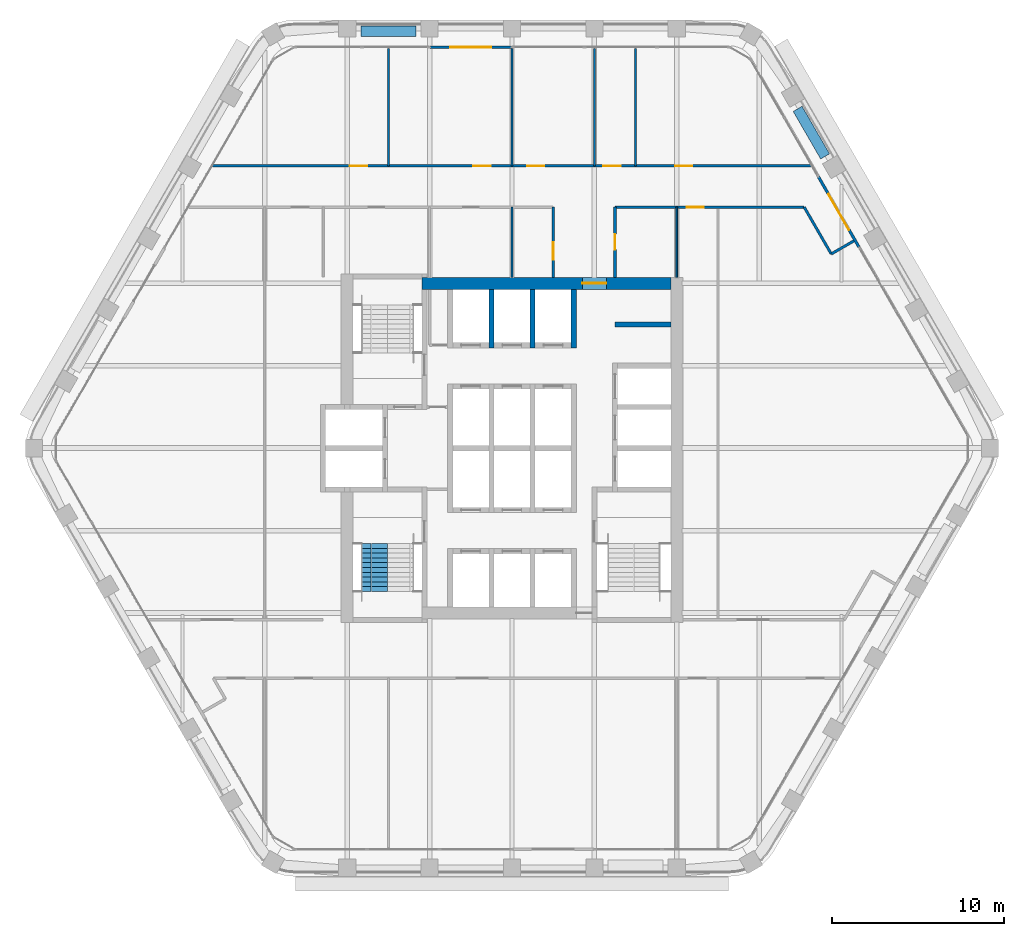
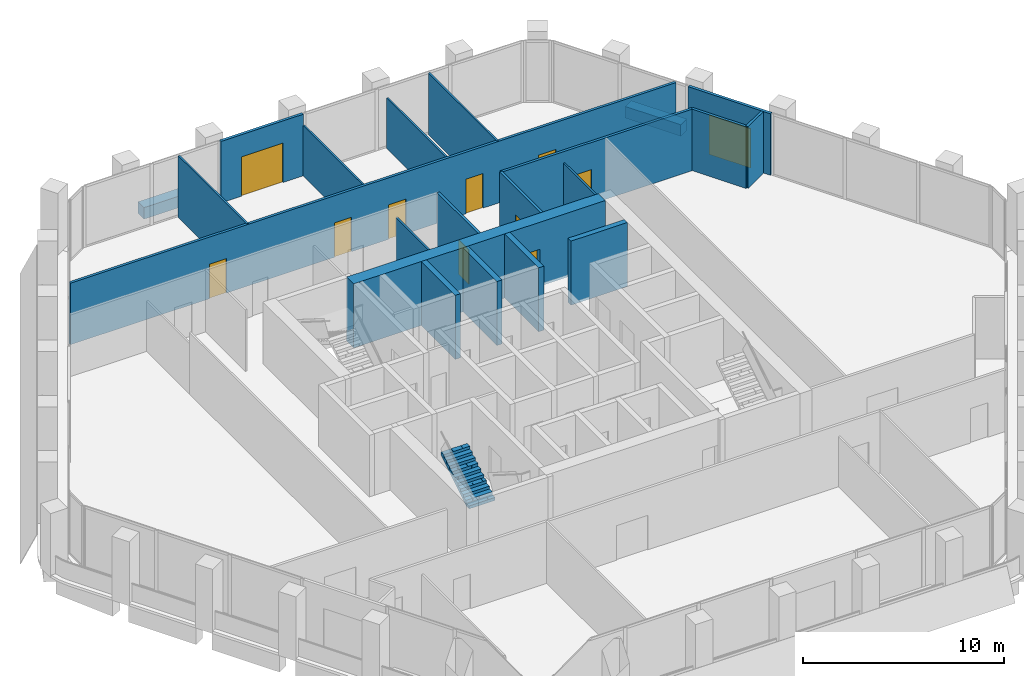
# One storey, part 11 of 15: 21 walls, 11 doors, 1 stair flight, 11 openings, 1 element without a shape of its own.
"""IFC4 building model written with IfcOpenShell, lengths in metres."""

import ifcopenshell
import ifcopenshell.guid

model = None  # the IFC model being written
_history = None  # IfcOwnerHistory: only IFC2X3 demands one
_inside = {}  # id of a spatial element -> (the spatial element, [elements in it])
_under = {}  # id of a project, library or spatial element -> (it, [spatial elements below it])
_declared = {}  # id of a project -> (the project, [libraries it declares])
_typed = {}  # id of a type object -> (the type object, [elements of that type])
_made_of = {}  # id of a material, layer set ... -> (it, [elements and type objects made of it])


def new_model(schema):
    """Start an empty IFC model of exactly this schema.

    Asked for "IFC4X3", IfcOpenShell would pick the latest addendum, in which some entities
    have other attributes; the version numbers below select the first issue.
    IFC2X3 requires an IfcOwnerHistory on every rooted entity: one is made here for all.
    """
    global model, _history
    if schema == "IFC4X3":
        model = ifcopenshell.file(schema_version=(4, 3, 0, 0))
    else:
        model = ifcopenshell.file(schema=schema)
    _inside.clear()
    _under.clear()
    _declared.clear()
    _typed.clear()
    _made_of.clear()
    _history = None
    if model.schema == "IFC2X3":
        org = make("IfcOrganization", Name="unknown")
        user = make(
            "IfcPersonAndOrganization",
            ThePerson=make("IfcPerson", FamilyName="unknown"),
            TheOrganization=org,
        )
        app = make(
            "IfcApplication",
            ApplicationDeveloper=org,
            Version="unknown",
            ApplicationFullName="unknown",
            ApplicationIdentifier="unknown",
        )
        _history = make(
            "IfcOwnerHistory",
            OwningUser=user,
            OwningApplication=app,
            ChangeAction="ADDED",
            CreationDate=0,
        )
    return model


def make(cls, **values):
    """One entity of the class cls with the attributes given. An attribute that is None is left unset."""
    return model.create_entity(
        cls, **{name: value for name, value in values.items() if value is not None}
    )


def rooted(cls, **values):
    """An entity with a GlobalId (a new one), such as an element, a storey or a relation."""
    return make(cls, GlobalId=ifcopenshell.guid.new(), OwnerHistory=_history, **values)


def si_unit(unit_type, name, prefix=None):
    """IfcSIUnit, for example si_unit("LENGTHUNIT", "METRE", prefix="MILLI")."""
    return make("IfcSIUnit", UnitType=unit_type, Prefix=prefix, Name=name)


def assignment(units):
    """IfcUnitAssignment: the units of a project."""
    return None if units is None else make("IfcUnitAssignment", Units=units)


def point(xyz):
    """IfcCartesianPoint."""
    return None if xyz is None else make("IfcCartesianPoint", Coordinates=xyz)


def direction(xyz):
    """IfcDirection."""
    return None if xyz is None else make("IfcDirection", DirectionRatios=xyz)


def frame(location, z_axis=None, x_axis=None):
    """IfcAxis2Placement3D, a coordinate frame: its origin and axes. An axis left out is left unset."""
    return make(
        "IfcAxis2Placement3D",
        Location=point(location),
        Axis=direction(z_axis),
        RefDirection=direction(x_axis),
    )


def frame_2d(location, x_axis=None):
    """IfcAxis2Placement2D, a coordinate frame in the plane: its origin and x axis."""
    return make(
        "IfcAxis2Placement2D", Location=point(location), RefDirection=direction(x_axis)
    )


def origin():
    """The frame at (0, 0, 0) with its axes left unset."""
    return frame((0.0, 0.0, 0.0))


def place(relative_to, where):
    """IfcLocalPlacement: puts the frame where relative to a parent placement (None: the world)."""
    return make(
        "IfcLocalPlacement", PlacementRelTo=relative_to, RelativePlacement=where
    )


def context(
    kind, dimensions, precision=None, world=None, true_north=None, identifier=None
):
    """IfcGeometricRepresentationContext, for example the 3D "Model" context."""
    return make(
        "IfcGeometricRepresentationContext",
        ContextIdentifier=identifier,
        ContextType=kind,
        CoordinateSpaceDimension=dimensions,
        Precision=precision,
        WorldCoordinateSystem=world,
        TrueNorth=true_north,
    )


def subcontext(parent, identifier, kind, view, scale=None):
    """IfcGeometricRepresentationSubContext, for example "Body" below "Model"."""
    return make(
        "IfcGeometricRepresentationSubContext",
        ContextIdentifier=identifier,
        ContextType=kind,
        ParentContext=parent,
        TargetScale=scale,
        TargetView=view,
    )


def project(units=None, contexts=None):
    """IfcProject with its units and contexts."""
    return rooted(
        "IfcProject",
        Name="project",
        RepresentationContexts=contexts,
        UnitsInContext=assignment(units),
    )


def spatial(cls, under=None, at=None, **own):
    """A site, building, storey or space (cls), placed at a placement, below another one or the project."""
    s = rooted(cls, ObjectPlacement=at, **own)
    if under is not None:
        _under.setdefault(under.id(), (under, []))[1].append(s)
    return s


def polyline(points):
    """IfcPolyline through the points."""
    return make("IfcPolyline", Points=[point(p) for p in points])


def profile(cls, at=None, kind="AREA", **sizes):
    """A parametric profile (cls). Its sizes go by their IFC names, for example OverallWidth=200.0."""
    return make(cls, ProfileType=kind, Position=at, **sizes)


def rectangle(**sizes):
    """IfcRectangleProfileDef."""
    return profile("IfcRectangleProfileDef", **sizes)


def outline(outer, holes=None, kind="AREA"):
    """IfcArbitraryClosedProfileDef: a profile drawn as a closed curve; with holes, ...WithVoids."""
    if holes is None:
        return make("IfcArbitraryClosedProfileDef", ProfileType=kind, OuterCurve=outer)
    return make(
        "IfcArbitraryProfileDefWithVoids",
        ProfileType=kind,
        OuterCurve=outer,
        InnerCurves=holes,
    )


def extrude(swept, where, along, depth):
    """IfcExtrudedAreaSolid: the profile swept, set in the frame where, extruded along a direction by depth."""
    return make(
        "IfcExtrudedAreaSolid",
        SweptArea=swept,
        Position=where,
        ExtrudedDirection=direction(along),
        Depth=depth,
    )


def shape(context_of_items, identifier, shape_type, items):
    """IfcShapeRepresentation: the items that make up one representation, for example the "Body"."""
    return make(
        "IfcShapeRepresentation",
        ContextOfItems=context_of_items,
        RepresentationIdentifier=identifier,
        RepresentationType=shape_type,
        Items=items,
    )


def material(Name=None, Category=None):
    """IfcMaterial."""
    return make("IfcMaterial", Name=Name, Category=Category)


def layer(
    of_material, thickness, ventilated=None, Name=None, Category=None, Priority=None
):
    """IfcMaterialLayer: one layer of a wall or slab, of a material (None: an air gap)."""
    return make(
        "IfcMaterialLayer",
        Material=of_material,
        LayerThickness=thickness,
        IsVentilated=ventilated,
        Name=Name,
        Category=Category,
        Priority=Priority,
    )


def layer_set(layers, Name=None):
    """IfcMaterialLayerSet."""
    return make("IfcMaterialLayerSet", MaterialLayers=layers, LayerSetName=Name)


def made_of(thing, what):
    """Note that an element or type object is made of a material, layer set ...; save() writes the relation."""
    if what is not None:
        _made_of.setdefault(what.id(), (what, []))[1].append(thing)
    return thing


def type_object(cls, material=None, **own):
    """A type object (cls), such as IfcWallType, which elements share."""
    return made_of(rooted(cls, **own), material)


def element(
    cls,
    number,
    at=None,
    inside=None,
    cuts=None,
    type_object=None,
    material=None,
    context=None,
    identifier="Body",
    shape_type=None,
    held_by="IfcProductDefinitionShape",
    body=None,
    shapes=None,
    **own,
):
    """One element of the class cls, such as IfcWall. Its Tag is "e" and its number.

    at: its placement. inside: the storey or other place that contains it. cuts: it is an
    opening in that element (IfcRelVoidsElement). A single representation is given by context,
    identifier, shape_type and body (its items); several are given by shapes. held_by: the class
    of the entity that holds the representations. save() writes the other relations.
    """
    e = rooted(cls, Tag="e%d" % number, ObjectPlacement=at, **own)
    if body is not None:
        shapes = [shape(context, identifier, shape_type, body)]
    if shapes is not None:
        e.Representation = make(held_by, Representations=shapes)
    if inside is not None:
        _inside.setdefault(inside.id(), (inside, []))[1].append(e)
    if cuts is not None:
        rooted(
            "IfcRelVoidsElement", RelatingBuildingElement=cuts, RelatedOpeningElement=e
        )
    if type_object is not None:
        _typed.setdefault(type_object.id(), (type_object, []))[1].append(e)
    return made_of(e, material)


def fill(opening, filler):
    """IfcRelFillsElement: the door or window that sits in an opening."""
    return rooted(
        "IfcRelFillsElement",
        RelatingOpeningElement=opening,
        RelatedBuildingElement=filler,
    )


def aggregate(whole, parts):
    """IfcRelAggregates: a whole, such as a stair, and the parts it consists of."""
    return rooted("IfcRelAggregates", RelatingObject=whole, RelatedObjects=parts)


def save(model, path):
    """Write the relations noted so far, then the file.

    IfcRelAggregates (storeys below a building ...), IfcRelContainedInSpatialStructure (elements
    in a storey), IfcRelDefinesByType, IfcRelAssociatesMaterial and IfcRelDeclares: one each for
    every whole, place, type object, material and project.
    """
    for whole, parts in _under.values():
        aggregate(whole, parts)
    for where, things in _inside.values():
        rooted(
            "IfcRelContainedInSpatialStructure",
            RelatedElements=things,
            RelatingStructure=where,
        )
    for kind, things in _typed.values():
        rooted("IfcRelDefinesByType", RelatedObjects=things, RelatingType=kind)
    for what, things in _made_of.values():
        rooted("IfcRelAssociatesMaterial", RelatedObjects=things, RelatingMaterial=what)
    for by, libraries in _declared.values():
        rooted("IfcRelDeclares", RelatingContext=by, RelatedDefinitions=libraries)
    model.write(path)


model = new_model("IFC4")

# Units and contexts
model_context = context("Model", 3, precision=1e-05, world=origin(), true_north=direction((0.0, 1.0)))
body_context = subcontext(model_context, "Body", "Model", "MODEL_VIEW")
ifc_project = project(units=[si_unit("LENGTHUNIT", "METRE"), si_unit("AREAUNIT", "SQUARE_METRE"), si_unit("VOLUMEUNIT", "CUBIC_METRE"), si_unit("PLANEANGLEUNIT", "RADIAN"), si_unit("MASSUNIT", "GRAM", prefix="KILO")], contexts=[model_context])

# Site, building, storey
site_placement = place(None, origin())
site = spatial("IfcSite", under=ifc_project, at=site_placement, CompositionType="ELEMENT")
building_placement = place(site_placement, origin())
building = spatial("IfcBuilding", under=site, at=building_placement, Name="Kolab Exchange Tower", CompositionType="ELEMENT")
storey_placement = place(building_placement, frame((0.0, 0.0, 154.39990234375)))
storey = spatial("IfcBuildingStorey", under=building, at=storey_placement, Name="L31", CompositionType="ELEMENT", Elevation=154.39990234375)

# Wall, opening, door
ifc_material_1 = material(Name="Concrete C60/75", Category="concrete")
ifc_layer_1 = layer(ifc_material_1, 0.699951171875)
ifc_layer_set_1 = layer_set([ifc_layer_1], Name="Concrete C60/75")
wall_type_1 = type_object("IfcWallType", Name="CORE WALL 700 C60/75", PredefinedType="SHEAR", material=ifc_layer_set_1)
wall_1_placement = place(storey_placement, frame((-5.25, 9.60009765625, -0.14990234375), z_axis=(0.0, 0.0, 1.0), x_axis=(1.0, 0.0, 0.0)))
wall_1 = element("IfcWall", 1, at=wall_1_placement, inside=storey, type_object=wall_type_1, Name="wall/L31/core/031", PredefinedType="SHEAR", context=body_context, shape_type="SweptSolid", body=[
    extrude(rectangle(XDim=14.5, YDim=0.699951171875, at=frame_2d((7.25, 0.0))), origin(), (0.0, 0.0, 1.0), 3.89990234375),
])
opening_1_placement = place(wall_1_placement, frame((9.35009765625, 0.0, 0.14990234375)))
opening_1 = element("IfcOpeningElement", 2, at=opening_1_placement, cuts=wall_1, Name="Opening D5-010", PredefinedType="OPENING", context=body_context, shape_type="SweptSolid", body=[
    extrude(rectangle(XDim=1.39990234375, YDim=2.10009765625, at=frame_2d((0.699951171875, 1.050048828125))), frame((0.0, 0.35986328125, 0.0), z_axis=(0.0, -1.0, 0.0), x_axis=(1.0, 0.0, 0.0)), (0.0, 0.0, 1.0), 0.719970703125),
])
ifc_material_2 = material(Name="Steel S235", Category="steel")
door_type_1 = type_object("IfcDoorType", Name="CORE DOOR 1400 EI 120", OperationType="DOUBLE_DOOR_SINGLE_SWING", PredefinedType="DOOR", material=ifc_material_2)
door_1_placement = place(opening_1_placement, frame((1.39990234375, 0.0, 0.0), z_axis=(0.0, 0.0, 1.0), x_axis=(-1.0, 0.0, 0.0)))
door_1 = element("IfcDoor", 3, at=door_1_placement, inside=storey, type_object=door_type_1, Name="Core lobby door", OperationType="SINGLE_SWING_LEFT", OverallHeight=2.10009765625, OverallWidth=1.39990234375, PredefinedType="DOOR", context=body_context, shape_type="SweptSolid", body=[
    extrude(rectangle(XDim=1.39990234375, YDim=2.10009765625, at=frame_2d((0.699951171875, 1.050048828125))), frame((0.0, 0.02490234375, 0.0), z_axis=(0.0, -1.0, 0.0), x_axis=(1.0, 0.0, 0.0)), (0.0, 0.0, 1.0), 0.050048828125),
])
fill(opening_1, door_1)

ifc_material_3 = material(Name="Aluminium EN AW-6063 T6", Category="aluminium")
ifc_layer_2 = layer(ifc_material_3, 0.159912109375)
ifc_layer_set_2 = layer_set([ifc_layer_2], Name="Aluminium EN AW-6063 T6")
wall_type_2 = type_object("IfcWallType", Name="DOOR SURROUND WALL 160 ALUMINIUM FRAMED", PredefinedType="PARTITIONING", material=ifc_layer_set_2)
wall_2_placement = place(storey_placement, frame((-4.77001953125, 23.361572265625, 0.0), z_axis=(0.0, 0.0, 1.0), x_axis=(1.0, 0.0, 0.0)))
wall_2 = element("IfcWall", 4, at=wall_2_placement, inside=storey, type_object=wall_type_2, Name="Door surround wall", PredefinedType="PARTITIONING", context=body_context, shape_type="SweptSolid", body=[
    extrude(rectangle(XDim=4.739990234375, YDim=0.159912109375, at=frame_2d((2.3701171875, 0.0))), origin(), (0.0, 0.0, 1.0), 3.75),
])
opening_2_placement = place(wall_2_placement, frame((1.169921875, 0.0, 0.0)))
opening_2 = element("IfcOpeningElement", 5, at=opening_2_placement, cuts=wall_2, Name="Opening GD1-064", PredefinedType="OPENING", context=body_context, shape_type="SweptSolid", body=[
    extrude(rectangle(XDim=2.39990234375, YDim=2.39990234375, at=frame_2d((1.199951171875, 1.199951171875))), frame((0.0, 0.08984375, 0.0), z_axis=(0.0, -1.0, 0.0), x_axis=(1.0, 0.0, 0.0)), (0.0, 0.0, 1.0), 0.179931640625),
])
door_type_2 = type_object("IfcDoorType", Name="LOGGIA SLIDING GLASS DOOR 2400 X 2400", OperationType="DOUBLE_DOOR_SINGLE_SWING", PredefinedType="DOOR", material=ifc_material_3)
door_2_placement = place(opening_2_placement, origin())
door_2 = element("IfcDoor", 6, at=door_2_placement, inside=storey, type_object=door_type_2, Name="Loggia door", OperationType="DOUBLE_DOOR_SLIDING", OverallHeight=2.39990234375, OverallWidth=2.39990234375, PredefinedType="DOOR", context=body_context, shape_type="SweptSolid", body=[
    extrude(rectangle(XDim=2.39990234375, YDim=2.39990234375, at=frame_2d((1.199951171875, 1.199951171875))), frame((0.0, 0.02490234375, 0.0), z_axis=(0.0, -1.0, 0.0), x_axis=(1.0, 0.0, 0.0)), (0.0, 0.0, 1.0), 0.050048828125),
])
fill(opening_2, door_2)

wall_3_placement = place(storey_placement, frame((17.8466796875, 15.811767578125, 0.0), z_axis=(0.0, 0.0, 1.0), x_axis=(0.5000167099, -0.866015756104, 0.0)))
wall_3 = element("IfcWall", 7, at=wall_3_placement, inside=storey, type_object=wall_type_2, Name="Door surround wall", PredefinedType="PARTITIONING", context=body_context, shape_type="SweptSolid", body=[
    extrude(rectangle(XDim=4.739990234375, YDim=0.159912109375, at=frame_2d((2.3701171875, 0.0))), origin(), (0.0, 0.0, 1.0), 3.75),
])
opening_3_placement = place(wall_3_placement, frame((1.169921875, 0.0, 0.0)))
opening_3 = element("IfcOpeningElement", 8, at=opening_3_placement, cuts=wall_3, Name="Opening GD1-065", PredefinedType="OPENING", context=body_context, shape_type="SweptSolid", body=[
    extrude(rectangle(XDim=2.39990234375, YDim=2.39990234375, at=frame_2d((1.199951171875, 1.199951171875))), frame((0.0, 0.08984375, 0.0), z_axis=(0.0, -1.0, 0.0), x_axis=(1.0, 0.0, 0.0)), (0.0, 0.0, 1.0), 0.179931640625),
])
door_3_placement = place(opening_3_placement, origin())
door_3 = element("IfcDoor", 9, at=door_3_placement, inside=storey, type_object=door_type_2, Name="Loggia door", OperationType="DOUBLE_DOOR_SLIDING", OverallHeight=2.39990234375, OverallWidth=2.39990234375, PredefinedType="DOOR", context=body_context, shape_type="SweptSolid", body=[
    extrude(rectangle(XDim=2.39990234375, YDim=2.39990234375, at=frame_2d((1.199951171875, 1.199951171875))), frame((0.0, 0.02490234375, 0.0), z_axis=(0.0, -1.0, 0.0), x_axis=(1.0, 0.0, 0.0)), (0.0, 0.0, 1.0), 0.050048828125),
])
fill(opening_3, door_3)

# Walls
ifc_material_4 = material(Name="Concrete C50/60", Category="concrete")
ifc_layer_3 = layer(ifc_material_4, 0.300048828125)
ifc_layer_set_3 = layer_set([ifc_layer_3], Name="Concrete C50/60")
wall_type_3 = type_object("IfcWallType", Name="LIFT SHAFT WALL 300 C50/60", PredefinedType="STANDARD", material=ifc_layer_set_3)
wall_4_placement = place(storey_placement, frame((6.0, 7.199951171875, -0.14990234375), z_axis=(0.0, 0.0, 1.0), x_axis=(1.0, 0.0, 0.0)))
element("IfcWall", 10, at=wall_4_placement, inside=storey, type_object=wall_type_3, Name="wall/L31/core/030", PredefinedType="STANDARD", context=body_context, shape_type="SweptSolid", body=[
    extrude(rectangle(XDim=3.25, YDim=0.300048828125, at=frame_2d((1.625, 0.0))), origin(), (0.0, 0.0, 1.0), 3.89990234375),
])
for number, where, z_axis, x_axis, name in (
    (11, (-1.199951171875, 5.85009765625, -0.14990234375), (0.0, 0.0, 1.0), (0.0, 1.0, 0.0), "wall/L31/core/048"),
    (12, (1.199951171875, 5.85009765625, -0.14990234375), (0.0, 0.0, 1.0), (0.0, 1.0, 0.0), "wall/L31/core/051"),
    (13, (3.60009765625, 5.85009765625, -0.14990234375), (0.0, 0.0, 1.0), (0.0, 1.0, 0.0), "wall/L31/core/054"),
):
    element("IfcWall", number, at=place(storey_placement, frame(where, z_axis=z_axis, x_axis=x_axis)), inside=storey, type_object=wall_type_3, Name=name, PredefinedType="STANDARD", context=body_context, shape_type="SweptSolid", body=[
        extrude(rectangle(XDim=3.39990234375, YDim=0.300048828125, at=frame_2d((1.699951171875, 0.0))), origin(), (0.0, 0.0, 1.0), 3.89990234375),
    ])
ifc_material_5 = material(Name="Gypsum board", Category="gypsum")
ifc_layer_4 = layer(ifc_material_5, 0.10009765625)
ifc_layer_set_4 = layer_set([ifc_layer_4], Name="Gypsum board")
wall_type_4 = type_object("IfcWallType", Name="PARTITION 100", PredefinedType="PARTITIONING", material=ifc_layer_set_4)
wall_5_placement = place(storey_placement, frame((9.60009765625, 9.949951171875, 0.0), z_axis=(0.0, 0.0, 1.0), x_axis=(0.0, 1.0, 0.0)))
element("IfcWall", 14, at=wall_5_placement, inside=storey, type_object=wall_type_4, Name="Partition 003", PredefinedType="PARTITIONING", context=body_context, shape_type="SweptSolid", body=[
    extrude(rectangle(XDim=4.091552734375, YDim=0.10009765625, at=frame_2d((2.0458984375, 0.0))), origin(), (0.0, 0.0, 1.0), 3.066162109375),
])
wall_6_placement = place(storey_placement, frame((7.199951171875, 16.44140625, 0.0), z_axis=(0.0, 0.0, 1.0), x_axis=(0.0, 1.0, 0.0)))
element("IfcWall", 15, at=wall_6_placement, inside=storey, type_object=wall_type_4, Name="Partition 004", PredefinedType="PARTITIONING", context=body_context, shape_type="SweptSolid", body=[
    extrude(rectangle(XDim=6.830078125, YDim=0.10009765625, at=frame_2d((3.4150390625, 0.0))), origin(), (0.0, 0.0, 1.0), 3.75),
])
wall_7_placement = place(storey_placement, frame((4.800048828125, 16.44140625, 0.0), z_axis=(0.0, 0.0, 1.0), x_axis=(0.0, 1.0, 0.0)))
element("IfcWall", 16, at=wall_7_placement, inside=storey, type_object=wall_type_4, Name="Partition 006", PredefinedType="PARTITIONING", context=body_context, shape_type="SweptSolid", body=[
    extrude(rectangle(XDim=6.830078125, YDim=0.10009765625, at=frame_2d((3.4150390625, 0.0))), origin(), (0.0, 0.0, 1.0), 3.066162109375),
])
wall_8_placement = place(storey_placement, frame((0.0, 9.949951171875, 0.0), z_axis=(0.0, 0.0, 1.0), x_axis=(0.0, 1.0, 0.0)))
element("IfcWall", 17, at=wall_8_placement, inside=storey, type_object=wall_type_4, Name="Partition 008", PredefinedType="PARTITIONING", context=body_context, shape_type="SweptSolid", body=[
    extrude(rectangle(XDim=4.091552734375, YDim=0.10009765625, at=frame_2d((2.0458984375, 0.0))), origin(), (0.0, 0.0, 1.0), 3.066162109375),
])
wall_9_placement = place(storey_placement, frame((0.0, 16.44140625, 0.0), z_axis=(0.0, 0.0, 1.0), x_axis=(0.0, 1.0, 0.0)))
element("IfcWall", 18, at=wall_9_placement, inside=storey, type_object=wall_type_4, Name="Partition 009", PredefinedType="PARTITIONING", context=body_context, shape_type="SweptSolid", body=[
    extrude(rectangle(XDim=6.840087890625, YDim=0.10009765625, at=frame_2d((3.419921875, 0.0))), origin(), (0.0, 0.0, 1.0), 3.066162109375),
])
wall_10_placement = place(storey_placement, frame((-7.199951171875, 16.44140625, 0.0), z_axis=(0.0, 0.0, 1.0), x_axis=(0.0, 1.0, 0.0)))
element("IfcWall", 19, at=wall_10_placement, inside=storey, type_object=wall_type_4, Name="Partition 013", PredefinedType="PARTITIONING", context=body_context, shape_type="SweptSolid", body=[
    extrude(rectangle(XDim=6.830078125, YDim=0.10009765625, at=frame_2d((3.4150390625, 0.0))), origin(), (0.0, 0.0, 1.0), 3.75),
])

# Wall, opening, door
ifc_layer_5 = layer(ifc_material_5, 0.14990234375)
ifc_layer_set_5 = layer_set([ifc_layer_5], Name="Gypsum board")
wall_type_5 = type_object("IfcWallType", Name="PARTITION 150 FIRE-RATED", PredefinedType="PARTITIONING", material=ifc_layer_set_5)
wall_11_placement = place(storey_placement, frame((6.0, 9.949951171875, 0.0), z_axis=(0.0, 0.0, 1.0), x_axis=(0.0, 1.0, 0.0)))
wall_11 = element("IfcWall", 20, at=wall_11_placement, inside=storey, type_object=wall_type_5, Name="Partition 005", PredefinedType="PARTITIONING", context=body_context, shape_type="SweptSolid", body=[
    extrude(rectangle(XDim=4.091552734375, YDim=0.14990234375, at=frame_2d((2.0458984375, 0.0))), origin(), (0.0, 0.0, 1.0), 3.75),
])
opening_4_placement = place(wall_11_placement, frame((1.620849609375, 0.0, 0.0)))
opening_4 = element("IfcOpeningElement", 21, at=opening_4_placement, cuts=wall_11, Name="Opening D3-045", PredefinedType="OPENING", context=body_context, shape_type="SweptSolid", body=[
    extrude(rectangle(XDim=0.89990234375, YDim=2.10009765625, at=frame_2d((0.449951171875, 1.050048828125))), frame((0.0, 0.0849609375, 0.0), z_axis=(0.0, -1.0, 0.0), x_axis=(1.0, 0.0, 0.0)), (0.0, 0.0, 1.0), 0.169921875),
])
door_type_3 = type_object("IfcDoorType", Name="FLUSH DOOR 900 FD60", OperationType="SINGLE_SWING_LEFT", PredefinedType="DOOR", material=ifc_material_2)
door_4_placement = place(opening_4_placement, frame((0.89990234375, 0.0, 0.0), z_axis=(0.0, 0.0, 1.0), x_axis=(-1.0, 0.0, 0.0)))
door_4 = element("IfcDoor", 22, at=door_4_placement, inside=storey, type_object=door_type_3, Name="Door L31-029", OperationType="SINGLE_SWING_RIGHT", OverallHeight=2.10009765625, OverallWidth=0.89990234375, PredefinedType="DOOR", context=body_context, shape_type="SweptSolid", body=[
    extrude(rectangle(XDim=0.89990234375, YDim=2.10009765625, at=frame_2d((0.449951171875, 1.050048828125))), frame((0.0, 0.02490234375, 0.0), z_axis=(0.0, -1.0, 0.0), x_axis=(1.0, 0.0, 0.0)), (0.0, 0.0, 1.0), 0.050048828125),
])
fill(opening_4, door_4)

wall_12_placement = place(storey_placement, frame((2.39990234375, 9.949951171875, 0.0), z_axis=(0.0, 0.0, 1.0), x_axis=(0.0, 1.0, 0.0)))
wall_12 = element("IfcWall", 23, at=wall_12_placement, inside=storey, type_object=wall_type_5, Name="Partition 007", PredefinedType="PARTITIONING", context=body_context, shape_type="SweptSolid", body=[
    extrude(rectangle(XDim=4.091552734375, YDim=0.14990234375, at=frame_2d((2.0458984375, 0.0))), origin(), (0.0, 0.0, 1.0), 3.75),
])
opening_5_placement = place(wall_12_placement, frame((1.035400390625, 0.0, 0.0)))
opening_5 = element("IfcOpeningElement", 24, at=opening_5_placement, cuts=wall_12, Name="Opening D1-447", PredefinedType="OPENING", context=body_context, shape_type="SweptSolid", body=[
    extrude(rectangle(XDim=1.0, YDim=2.10009765625, at=frame_2d((0.5, 1.050048828125))), frame((0.0, 0.0849609375, 0.0), z_axis=(0.0, -1.0, 0.0), x_axis=(1.0, 0.0, 0.0)), (0.0, 0.0, 1.0), 0.169921875),
])
door_type_4 = type_object("IfcDoorType", Name="FLUSH DOOR 1000 FD60", OperationType="SINGLE_SWING_LEFT", PredefinedType="DOOR", material=ifc_material_2)
door_5_placement = place(opening_5_placement, origin())
door_5 = element("IfcDoor", 25, at=door_5_placement, inside=storey, type_object=door_type_4, Name="Door L31-032", OperationType="SINGLE_SWING_LEFT", OverallHeight=2.10009765625, OverallWidth=1.0, PredefinedType="DOOR", context=body_context, shape_type="SweptSolid", body=[
    extrude(rectangle(XDim=1.0, YDim=2.10009765625, at=frame_2d((0.5, 1.050048828125))), frame((0.0, 0.02490234375, 0.0), z_axis=(0.0, -1.0, 0.0), x_axis=(1.0, 0.0, 0.0)), (0.0, 0.0, 1.0), 0.050048828125),
])
fill(opening_5, door_5)

# Walls
wall_13_placement = place(storey_placement, frame((17.021240234375, 14.04150390625, 0.0), z_axis=(0.0, 0.0, 1.0), x_axis=(0.499957296199, -0.866050057432, 0.0)))
element("IfcWall", 26, at=wall_13_placement, inside=storey, type_object=wall_type_5, Name="Partition 018", PredefinedType="PARTITIONING", context=body_context, shape_type="SweptSolid", body=[
    extrude(rectangle(XDim=3.149658203125, YDim=0.14990234375, at=frame_2d((1.57470703125, 0.0))), origin(), (0.0, 0.0, 1.0), 3.75),
])
wall_14_placement = place(storey_placement, frame((18.595947265625, 11.313720703125, 0.0), z_axis=(0.0, 0.0, 1.0), x_axis=(0.866030456496, 0.499991248344, 0.0)))
element("IfcWall", 27, at=wall_14_placement, inside=storey, type_object=wall_type_5, Name="Partition 022", PredefinedType="PARTITIONING", context=body_context, shape_type="SweptSolid", body=[
    extrude(rectangle(XDim=1.52001953125, YDim=0.14990234375, at=frame_2d((0.760009765625, 0.0))), origin(), (0.0, 0.0, 1.0), 3.75),
])

# Wall, opening, door
wall_15_placement = place(storey_placement, frame((6.0, 14.04150390625, 0.0), z_axis=(0.0, 0.0, 1.0), x_axis=(1.0, 0.0, 0.0)))
wall_15 = element("IfcWall", 28, at=wall_15_placement, inside=storey, type_object=wall_type_5, Name="Partition 028", PredefinedType="PARTITIONING", context=body_context, shape_type="SweptSolid", body=[
    extrude(rectangle(XDim=11.021240234375, YDim=0.14990234375, at=frame_2d((5.5107421875, 0.0))), origin(), (0.0, 0.0, 1.0), 3.75),
])
opening_6_placement = place(wall_15_placement, frame((4.175048828125, 0.0, 0.0)))
opening_6 = element("IfcOpeningElement", 29, at=opening_6_placement, cuts=wall_15, Name="Opening D1-457", PredefinedType="OPENING", context=body_context, shape_type="SweptSolid", body=[
    extrude(rectangle(XDim=1.0, YDim=2.10009765625, at=frame_2d((0.5, 1.050048828125))), frame((0.0, 0.0849609375, 0.0), z_axis=(0.0, -1.0, 0.0), x_axis=(1.0, 0.0, 0.0)), (0.0, 0.0, 1.0), 0.169921875),
])
door_6_placement = place(opening_6_placement, frame((1.0, 0.0, 0.0), z_axis=(0.0, 0.0, 1.0), x_axis=(-1.0, 0.0, 0.0)))
door_6 = element("IfcDoor", 30, at=door_6_placement, inside=storey, type_object=door_type_4, Name="Door L31-043", OperationType="SINGLE_SWING_LEFT", OverallHeight=2.10009765625, OverallWidth=1.0, PredefinedType="DOOR", context=body_context, shape_type="SweptSolid", body=[
    extrude(rectangle(XDim=1.0, YDim=2.10009765625, at=frame_2d((0.5, 1.050048828125))), frame((0.0, 0.02490234375, 0.0), z_axis=(0.0, -1.0, 0.0), x_axis=(1.0, 0.0, 0.0)), (0.0, 0.0, 1.0), 0.050048828125),
])
fill(opening_6, door_6)

# Wall, openings, doors
wall_16_placement = place(storey_placement, frame((-17.43701171875, 16.44140625, 0.0), z_axis=(0.0, 0.0, 1.0), x_axis=(1.0, 0.0, 0.0)))
wall_16 = element("IfcWall", 31, at=wall_16_placement, inside=storey, type_object=wall_type_5, Name="Partition 029", PredefinedType="PARTITIONING", context=body_context, shape_type="SweptSolid", body=[
    extrude(rectangle(XDim=34.8740234375, YDim=0.14990234375, at=frame_2d((17.43701171875, 0.0))), origin(), (0.0, 0.0, 1.0), 3.75),
])
opening_7_placement = place(wall_16_placement, frame((7.991943359375, 0.0, 0.0)))
opening_7 = element("IfcOpeningElement", 32, at=opening_7_placement, cuts=wall_16, Name="Opening D1-448", PredefinedType="OPENING", context=body_context, shape_type="SweptSolid", body=[
    extrude(rectangle(XDim=1.0, YDim=2.10009765625, at=frame_2d((0.5, 1.050048828125))), frame((0.0, 0.0849609375, 0.0), z_axis=(0.0, -1.0, 0.0), x_axis=(1.0, 0.0, 0.0)), (0.0, 0.0, 1.0), 0.169921875),
])
opening_8_placement = place(wall_16_placement, frame((15.19189453125, 0.0, 0.0)))
opening_8 = element("IfcOpeningElement", 33, at=opening_8_placement, cuts=wall_16, Name="Opening D1-449", PredefinedType="OPENING", context=body_context, shape_type="SweptSolid", body=[
    extrude(rectangle(XDim=1.0, YDim=2.10009765625, at=frame_2d((0.5, 1.050048828125))), frame((0.0, 0.0849609375, 0.0), z_axis=(0.0, -1.0, 0.0), x_axis=(1.0, 0.0, 0.0)), (0.0, 0.0, 1.0), 0.169921875),
])
opening_9_placement = place(wall_16_placement, frame((18.322021484375, 0.0, 0.0)))
opening_9 = element("IfcOpeningElement", 34, at=opening_9_placement, cuts=wall_16, Name="Opening D1-450", PredefinedType="OPENING", context=body_context, shape_type="SweptSolid", body=[
    extrude(rectangle(XDim=1.0, YDim=2.10009765625, at=frame_2d((0.5, 1.050048828125))), frame((0.0, 0.0849609375, 0.0), z_axis=(0.0, -1.0, 0.0), x_axis=(1.0, 0.0, 0.0)), (0.0, 0.0, 1.0), 0.169921875),
])
opening_10_placement = place(wall_16_placement, frame((22.761962890625, 0.0, 0.0)))
opening_10 = element("IfcOpeningElement", 35, at=opening_10_placement, cuts=wall_16, Name="Opening D1-451", PredefinedType="OPENING", context=body_context, shape_type="SweptSolid", body=[
    extrude(rectangle(XDim=1.0, YDim=2.10009765625, at=frame_2d((0.5, 1.050048828125))), frame((0.0, 0.0849609375, 0.0), z_axis=(0.0, -1.0, 0.0), x_axis=(1.0, 0.0, 0.0)), (0.0, 0.0, 1.0), 0.169921875),
])
opening_11_placement = place(wall_16_placement, frame((26.94189453125, 0.0, 0.0)))
opening_11 = element("IfcOpeningElement", 36, at=opening_11_placement, cuts=wall_16, Name="Opening D1-452", PredefinedType="OPENING", context=body_context, shape_type="SweptSolid", body=[
    extrude(rectangle(XDim=1.0, YDim=2.10009765625, at=frame_2d((0.5, 1.050048828125))), frame((0.0, 0.0849609375, 0.0), z_axis=(0.0, -1.0, 0.0), x_axis=(1.0, 0.0, 0.0)), (0.0, 0.0, 1.0), 0.169921875),
])
door_7_placement = place(opening_7_placement, origin())
door_7 = element("IfcDoor", 37, at=door_7_placement, inside=storey, type_object=door_type_4, Name="Door L31-033", OperationType="SINGLE_SWING_RIGHT", OverallHeight=2.10009765625, OverallWidth=1.0, PredefinedType="DOOR", context=body_context, shape_type="SweptSolid", body=[
    extrude(rectangle(XDim=1.0, YDim=2.10009765625, at=frame_2d((0.5, 1.050048828125))), frame((0.0, 0.02490234375, 0.0), z_axis=(0.0, -1.0, 0.0), x_axis=(1.0, 0.0, 0.0)), (0.0, 0.0, 1.0), 0.050048828125),
])
fill(opening_7, door_7)
door_8_placement = place(opening_8_placement, origin())
door_8 = element("IfcDoor", 38, at=door_8_placement, inside=storey, type_object=door_type_4, Name="Door L31-034", OperationType="SINGLE_SWING_RIGHT", OverallHeight=2.10009765625, OverallWidth=1.0, PredefinedType="DOOR", context=body_context, shape_type="SweptSolid", body=[
    extrude(rectangle(XDim=1.0, YDim=2.10009765625, at=frame_2d((0.5, 1.050048828125))), frame((0.0, 0.02490234375, 0.0), z_axis=(0.0, -1.0, 0.0), x_axis=(1.0, 0.0, 0.0)), (0.0, 0.0, 1.0), 0.050048828125),
])
fill(opening_8, door_8)
door_9_placement = place(opening_9_placement, origin())
door_9 = element("IfcDoor", 39, at=door_9_placement, inside=storey, type_object=door_type_4, Name="Door L31-035", OperationType="SINGLE_SWING_LEFT", OverallHeight=2.10009765625, OverallWidth=1.0, PredefinedType="DOOR", context=body_context, shape_type="SweptSolid", body=[
    extrude(rectangle(XDim=1.0, YDim=2.10009765625, at=frame_2d((0.5, 1.050048828125))), frame((0.0, 0.02490234375, 0.0), z_axis=(0.0, -1.0, 0.0), x_axis=(1.0, 0.0, 0.0)), (0.0, 0.0, 1.0), 0.050048828125),
])
fill(opening_9, door_9)
door_10_placement = place(opening_10_placement, origin())
door_10 = element("IfcDoor", 40, at=door_10_placement, inside=storey, type_object=door_type_4, Name="Door L31-036", OperationType="SINGLE_SWING_LEFT", OverallHeight=2.10009765625, OverallWidth=1.0, PredefinedType="DOOR", context=body_context, shape_type="SweptSolid", body=[
    extrude(rectangle(XDim=1.0, YDim=2.10009765625, at=frame_2d((0.5, 1.050048828125))), frame((0.0, 0.02490234375, 0.0), z_axis=(0.0, -1.0, 0.0), x_axis=(1.0, 0.0, 0.0)), (0.0, 0.0, 1.0), 0.050048828125),
])
fill(opening_10, door_10)
door_11_placement = place(opening_11_placement, origin())
door_11 = element("IfcDoor", 41, at=door_11_placement, inside=storey, type_object=door_type_4, Name="Door L31-037", OperationType="SINGLE_SWING_LEFT", OverallHeight=2.10009765625, OverallWidth=1.0, PredefinedType="DOOR", context=body_context, shape_type="SweptSolid", body=[
    extrude(rectangle(XDim=1.0, YDim=2.10009765625, at=frame_2d((0.5, 1.050048828125))), frame((0.0, 0.02490234375, 0.0), z_axis=(0.0, -1.0, 0.0), x_axis=(1.0, 0.0, 0.0)), (0.0, 0.0, 1.0), 0.050048828125),
])
fill(opening_11, door_11)

# Walls
ifc_material_6 = material(Name="Granite facing", Category="masonry")
ifc_layer_6 = layer(ifc_material_6, 0.0400390625)
ifc_material_7 = material(Name="Concrete C40/50 precast", Category="concrete")
ifc_layer_7 = layer(ifc_material_7, 0.56005859375)
ifc_layer_set_6 = layer_set([ifc_layer_6, ifc_layer_7], Name="Concrete C40/50 precast")
wall_type_6 = type_object("IfcWallType", Name="PLANTER BOX 600 X 700 SOIL DEPTH 550", PredefinedType="USERDEFINED", material=ifc_layer_set_6)
for number, where, z_axis, x_axis, name in (
    (42, (-8.800048828125, 24.29150390625, 0.0), (0.0, 0.0, 1.0), (1.0, 0.0, 0.0), "Planter"),
    (43, (16.636962890625, 19.766845703125, 0.0), (0.0, 0.0, 1.0), (0.500028443584, -0.866008981251, 0.0), "Planter"),
):
    element("IfcWall", number, at=place(storey_placement, frame(where, z_axis=z_axis, x_axis=x_axis)), inside=storey, type_object=wall_type_6, Name=name, ObjectType="PLANTER", PredefinedType="USERDEFINED", context=body_context, shape_type="SweptSolid", body=[
        extrude(rectangle(XDim=3.199951171875, YDim=0.60009765625, at=frame_2d((1.60009765625, 0.0))), origin(), (0.0, 0.0, 1.0), 0.7001953125),
    ])

# Stair, stair flight
stair_type = type_object("IfcStairType", Name="STAIR ST3 RISER 177.3", PredefinedType="HALF_TURN_STAIR", material=ifc_material_4)
stair_placement = place(storey_placement, origin())
stair = element("IfcStair", 44, at=stair_placement, inside=storey, type_object=stair_type, Name="Stair 3", PredefinedType="HALF_TURN_STAIR")
stair_flight_type = type_object("IfcStairFlightType", Name="STAIR FLIGHT 1500 RISER 177.3", PredefinedType="STRAIGHT", material=ifc_material_4)
stair_flight_placement = place(storey_placement, frame((-8.010009765625, -8.35009765625, 1.9501953125), z_axis=(0.0, 0.0, 1.0), x_axis=(0.0, 1.0, 0.0)))
stair_flight = element("IfcStairFlight", 45, at=stair_flight_placement, type_object=stair_flight_type, Name="ST3 flight 2", NumberOfRisers=11, NumberOfTreads=10, PredefinedType="STRAIGHT", RiserHeight=0.177272727, TreadLength=0.28, context=body_context, shape_type="SweptSolid", body=[
    extrude(outline(polyline([(0.0, 0.0), (0.0, 0.17724609375), (0.280029296875, 0.17724609375), (0.280029296875, 0.3544921875), (0.56005859375, 0.3544921875), (0.56005859375, 0.53173828125), (0.840087890625, 0.53173828125), (0.840087890625, 0.708984375), (1.1201171875, 0.708984375), (1.1201171875, 0.886474609375), (1.39990234375, 0.886474609375), (1.39990234375, 1.063720703125), (1.679931640625, 1.063720703125), (1.679931640625, 1.240966796875), (1.9599609375, 1.240966796875), (1.9599609375, 1.418212890625), (2.239990234375, 1.418212890625), (2.239990234375, 1.595458984375), (2.52001953125, 1.595458984375), (2.52001953125, 1.772705078125), (2.800048828125, 1.772705078125), (2.800048828125, 1.949951171875), (2.800048828125, 1.59521484375), (0.2802734375, 0.0), (0.0, 0.0)])), frame((0.0, 0.75, 0.0), z_axis=(0.0, -1.0, 0.0), x_axis=(1.0, 0.0, 0.0)), (0.0, 0.0, 1.0), 0.185791015625),
    extrude(outline(polyline([(0.0, 0.0), (0.0, 0.17724609375), (0.280029296875, 0.17724609375), (0.280029296875, 0.3544921875), (0.56005859375, 0.3544921875), (0.56005859375, 0.53173828125), (0.840087890625, 0.53173828125), (0.840087890625, 0.708984375), (1.1201171875, 0.708984375), (1.1201171875, 0.886474609375), (1.39990234375, 0.886474609375), (1.39990234375, 1.063720703125), (1.679931640625, 1.063720703125), (1.679931640625, 1.240966796875), (1.9599609375, 1.240966796875), (1.9599609375, 1.418212890625), (2.239990234375, 1.418212890625), (2.239990234375, 1.595458984375), (2.52001953125, 1.595458984375), (2.52001953125, 1.772705078125), (2.800048828125, 1.772705078125), (2.800048828125, 1.949951171875), (2.800048828125, 1.59521484375), (0.2802734375, 0.0), (0.0, 0.0)])), frame((0.0, 0.562255859375, 0.0), z_axis=(0.0, -1.0, 0.0), x_axis=(1.0, 0.0, 0.0)), (0.0, 0.0, 1.0), 0.185791015625),
    extrude(outline(polyline([(0.0, 0.0), (0.0, 0.17724609375), (0.280029296875, 0.17724609375), (0.280029296875, 0.3544921875), (0.56005859375, 0.3544921875), (0.56005859375, 0.53173828125), (0.840087890625, 0.53173828125), (0.840087890625, 0.708984375), (1.1201171875, 0.708984375), (1.1201171875, 0.886474609375), (1.39990234375, 0.886474609375), (1.39990234375, 1.063720703125), (1.679931640625, 1.063720703125), (1.679931640625, 1.240966796875), (1.9599609375, 1.240966796875), (1.9599609375, 1.418212890625), (2.239990234375, 1.418212890625), (2.239990234375, 1.595458984375), (2.52001953125, 1.595458984375), (2.52001953125, 1.772705078125), (2.800048828125, 1.772705078125), (2.800048828125, 1.949951171875), (2.800048828125, 1.59521484375), (0.2802734375, 0.0), (0.0, 0.0)])), frame((0.0, 0.37451171875, 0.0), z_axis=(0.0, -1.0, 0.0), x_axis=(1.0, 0.0, 0.0)), (0.0, 0.0, 1.0), 0.185791015625),
    extrude(outline(polyline([(0.0, 0.0), (0.0, 0.17724609375), (0.280029296875, 0.17724609375), (0.280029296875, 0.3544921875), (0.56005859375, 0.3544921875), (0.56005859375, 0.53173828125), (0.840087890625, 0.53173828125), (0.840087890625, 0.708984375), (1.1201171875, 0.708984375), (1.1201171875, 0.886474609375), (1.39990234375, 0.886474609375), (1.39990234375, 1.063720703125), (1.679931640625, 1.063720703125), (1.679931640625, 1.240966796875), (1.9599609375, 1.240966796875), (1.9599609375, 1.418212890625), (2.239990234375, 1.418212890625), (2.239990234375, 1.595458984375), (2.52001953125, 1.595458984375), (2.52001953125, 1.772705078125), (2.800048828125, 1.772705078125), (2.800048828125, 1.949951171875), (2.800048828125, 1.59521484375), (0.2802734375, 0.0), (0.0, 0.0)])), frame((0.0, 0.186767578125, 0.0), z_axis=(0.0, -1.0, 0.0), x_axis=(1.0, 0.0, 0.0)), (0.0, 0.0, 1.0), 0.185791015625),
    extrude(outline(polyline([(0.0, 0.0), (0.0, 0.17724609375), (0.280029296875, 0.17724609375), (0.280029296875, 0.3544921875), (0.56005859375, 0.3544921875), (0.56005859375, 0.53173828125), (0.840087890625, 0.53173828125), (0.840087890625, 0.708984375), (1.1201171875, 0.708984375), (1.1201171875, 0.886474609375), (1.39990234375, 0.886474609375), (1.39990234375, 1.063720703125), (1.679931640625, 1.063720703125), (1.679931640625, 1.240966796875), (1.9599609375, 1.240966796875), (1.9599609375, 1.418212890625), (2.239990234375, 1.418212890625), (2.239990234375, 1.595458984375), (2.52001953125, 1.595458984375), (2.52001953125, 1.772705078125), (2.800048828125, 1.772705078125), (2.800048828125, 1.949951171875), (2.800048828125, 1.59521484375), (0.2802734375, 0.0), (0.0, 0.0)])), frame((0.0, -0.0009765625, 0.0), z_axis=(0.0, -1.0, 0.0), x_axis=(1.0, 0.0, 0.0)), (0.0, 0.0, 1.0), 0.185791015625),
    extrude(outline(polyline([(0.0, 0.0), (0.0, 0.17724609375), (0.280029296875, 0.17724609375), (0.280029296875, 0.3544921875), (0.56005859375, 0.3544921875), (0.56005859375, 0.53173828125), (0.840087890625, 0.53173828125), (0.840087890625, 0.708984375), (1.1201171875, 0.708984375), (1.1201171875, 0.886474609375), (1.39990234375, 0.886474609375), (1.39990234375, 1.063720703125), (1.679931640625, 1.063720703125), (1.679931640625, 1.240966796875), (1.9599609375, 1.240966796875), (1.9599609375, 1.418212890625), (2.239990234375, 1.418212890625), (2.239990234375, 1.595458984375), (2.52001953125, 1.595458984375), (2.52001953125, 1.772705078125), (2.800048828125, 1.772705078125), (2.800048828125, 1.949951171875), (2.800048828125, 1.59521484375), (0.2802734375, 0.0), (0.0, 0.0)])), frame((0.0, -0.188720703125, 0.0), z_axis=(0.0, -1.0, 0.0), x_axis=(1.0, 0.0, 0.0)), (0.0, 0.0, 1.0), 0.185791015625),
    extrude(outline(polyline([(0.0, 0.0), (0.0, 0.17724609375), (0.280029296875, 0.17724609375), (0.280029296875, 0.3544921875), (0.56005859375, 0.3544921875), (0.56005859375, 0.53173828125), (0.840087890625, 0.53173828125), (0.840087890625, 0.708984375), (1.1201171875, 0.708984375), (1.1201171875, 0.886474609375), (1.39990234375, 0.886474609375), (1.39990234375, 1.063720703125), (1.679931640625, 1.063720703125), (1.679931640625, 1.240966796875), (1.9599609375, 1.240966796875), (1.9599609375, 1.418212890625), (2.239990234375, 1.418212890625), (2.239990234375, 1.595458984375), (2.52001953125, 1.595458984375), (2.52001953125, 1.772705078125), (2.800048828125, 1.772705078125), (2.800048828125, 1.949951171875), (2.800048828125, 1.59521484375), (0.2802734375, 0.0), (0.0, 0.0)])), frame((0.0, -0.37646484375, 0.0), z_axis=(0.0, -1.0, 0.0), x_axis=(1.0, 0.0, 0.0)), (0.0, 0.0, 1.0), 0.185791015625),
    extrude(outline(polyline([(0.0, 0.0), (0.0, 0.17724609375), (0.280029296875, 0.17724609375), (0.280029296875, 0.3544921875), (0.56005859375, 0.3544921875), (0.56005859375, 0.53173828125), (0.840087890625, 0.53173828125), (0.840087890625, 0.708984375), (1.1201171875, 0.708984375), (1.1201171875, 0.886474609375), (1.39990234375, 0.886474609375), (1.39990234375, 1.063720703125), (1.679931640625, 1.063720703125), (1.679931640625, 1.240966796875), (1.9599609375, 1.240966796875), (1.9599609375, 1.418212890625), (2.239990234375, 1.418212890625), (2.239990234375, 1.595458984375), (2.52001953125, 1.595458984375), (2.52001953125, 1.772705078125), (2.800048828125, 1.772705078125), (2.800048828125, 1.949951171875), (2.800048828125, 1.59521484375), (0.2802734375, 0.0), (0.0, 0.0)])), frame((0.0, -0.564208984375, 0.0), z_axis=(0.0, -1.0, 0.0), x_axis=(1.0, 0.0, 0.0)), (0.0, 0.0, 1.0), 0.185791015625),
])
aggregate(stair, [stair_flight])

save(model, "model.ifc")
